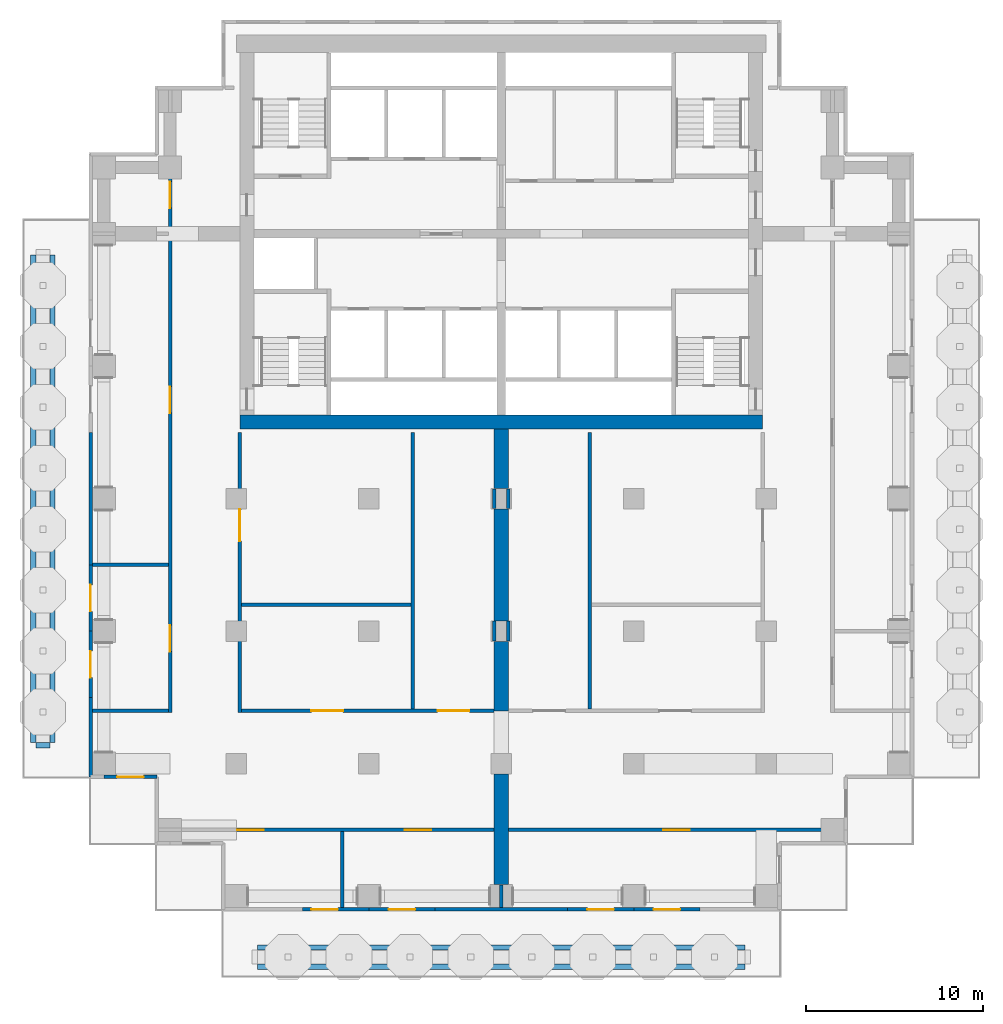
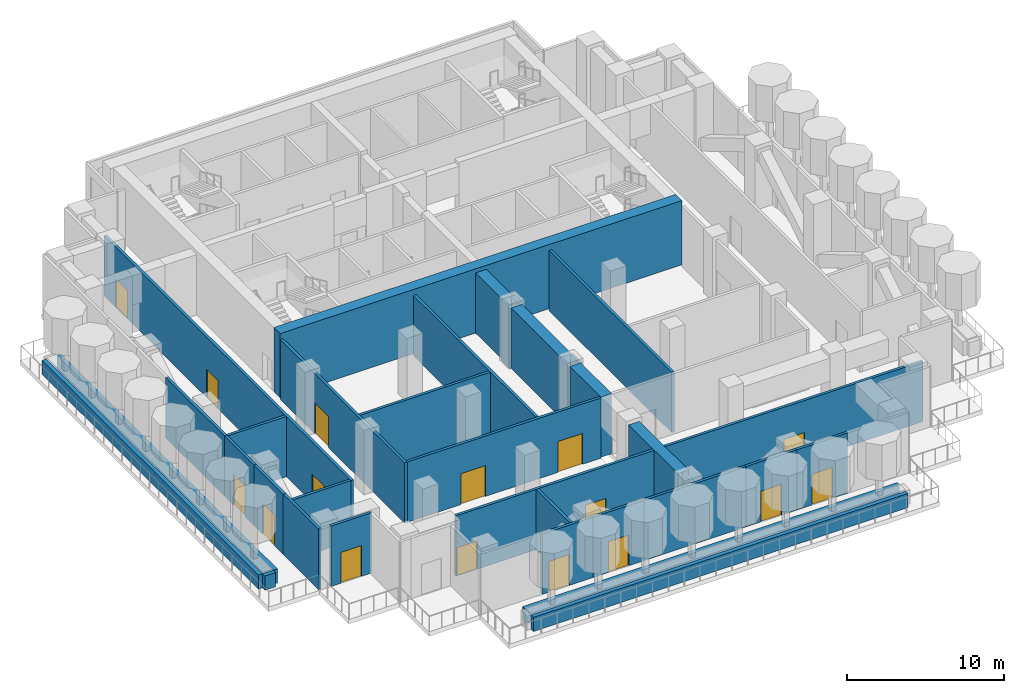
# One storey, part 2 of 9: 36 walls, 16 doors, 16 openings.
"""IFC4 building model written with IfcOpenShell, lengths in metres."""

from ifc_helpers import new_model, si_unit, direction, frame, frame_2d, origin, place, context, subcontext, project, spatial, rectangle, extrude, material, layer, layer_set, type_object, element, fill, save


model = new_model("IFC4")

# Units and contexts
model_context = context("Model", 3, precision=1e-05, world=origin(), true_north=direction((0.0, 1.0)))
body_context = subcontext(model_context, "Body", "Model", "MODEL_VIEW")
ifc_project = project(units=[si_unit("LENGTHUNIT", "METRE"), si_unit("AREAUNIT", "SQUARE_METRE"), si_unit("VOLUMEUNIT", "CUBIC_METRE"), si_unit("PLANEANGLEUNIT", "RADIAN"), si_unit("MASSUNIT", "GRAM", prefix="KILO")], contexts=[model_context])

# Site, building, storey
site_placement = place(None, origin())
site = spatial("IfcSite", under=ifc_project, at=site_placement, CompositionType="ELEMENT")
building_placement = place(site_placement, origin())
building = spatial("IfcBuilding", under=site, at=building_placement, Name="Pilkhan Gate Tower", CompositionType="ELEMENT")
storey_placement = place(building_placement, frame((0.0, 0.0, 102.199951171875)))
storey = spatial("IfcBuildingStorey", under=building, at=storey_placement, Name="L25", CompositionType="ELEMENT", Elevation=102.199951171875)

# Wall
ifc_material_1 = material(Name="Concrete C60/75", Category="concrete")
ifc_layer_1 = layer(ifc_material_1, 0.800048828125)
ifc_layer_set_1 = layer_set([ifc_layer_1], Name="Core wall CW800 C60/75")
wall_type_1 = type_object("IfcWallType", Name="Core wall CW800 C60/75", PredefinedType="SHEAR", material=ifc_layer_set_1)
wall_1_placement = place(storey_placement, frame((60.199951171875, 71.85009765625, 0.0), z_axis=(0.0, 0.0, 1.0), x_axis=(1.0, 0.0, 0.0)))
element("IfcWall", 1, at=wall_1_placement, inside=storey, type_object=wall_type_1, Name="Core wall S L25", PredefinedType="SHEAR", context=body_context, shape_type="SweptSolid", body=[
    extrude(rectangle(XDim=29.60009765625, YDim=0.800048828125, at=frame_2d((14.800048828125, 0.0))), origin(), (0.0, 0.0, 1.0), 5.0),
])

# Wall, openings, doors
ifc_material_2 = material(Name="Dense blockwork", Category="masonry")
ifc_layer_2 = layer(ifc_material_2, 0.199951171875)
ifc_layer_set_2 = layer_set([ifc_layer_2], Name="Lobby wall LW200")
wall_type_2 = type_object("IfcWallType", Name="Lobby wall LW200", PredefinedType="PARTITIONING", material=ifc_layer_set_2)
wall_2_placement = place(storey_placement, frame((60.0009765625, 48.75, 0.0), z_axis=(0.0, 0.0, 1.0), x_axis=(1.0, 0.0, 0.0)))
wall_2 = element("IfcWall", 2, at=wall_2_placement, inside=storey, type_object=wall_type_2, Name="Partition L25", PredefinedType="PARTITIONING", context=body_context, shape_type="SweptSolid", body=[
    extrude(rectangle(XDim=14.589111328125, YDim=0.199951171875, at=frame_2d((7.29443359375, 0.0))), origin(), (0.0, 0.0, 1.0), 4.699951171875),
])
opening_1_placement = place(wall_2_placement, frame((0.05908203125, 0.0, 0.0)))
opening_1 = element("IfcOpeningElement", 3, at=opening_1_placement, cuts=wall_2, Name="Opening L25-06", PredefinedType="OPENING", context=body_context, shape_type="SweptSolid", body=[
    extrude(rectangle(XDim=1.5, YDim=2.199951171875, at=frame_2d((0.75, 1.10009765625))), frame((0.0, 0.10986328125, 0.0), z_axis=(0.0, -1.0, 0.0), x_axis=(1.0, 0.0, 0.0)), (0.0, 0.0, 1.0), 0.219970703125),
])
opening_2_placement = place(wall_2_placement, frame((9.549072265625, 0.0, 0.0)))
opening_2 = element("IfcOpeningElement", 4, at=opening_2_placement, cuts=wall_2, Name="Opening L25-07", PredefinedType="OPENING", context=body_context, shape_type="SweptSolid", body=[
    extrude(rectangle(XDim=1.5, YDim=2.199951171875, at=frame_2d((0.75, 1.10009765625))), frame((0.0, 0.10986328125, 0.0), z_axis=(0.0, -1.0, 0.0), x_axis=(1.0, 0.0, 0.0)), (0.0, 0.0, 1.0), 0.219970703125),
])
ifc_material_3 = material(Name="Steel framed glazed door, 60 minute fire resisting", Category="steel")
door_type_1 = type_object("IfcDoorType", Name="Lobby door D09 1500x2200", OperationType="DOUBLE_DOOR_SINGLE_SWING", PredefinedType="DOOR", material=ifc_material_3)
door_1_placement = place(opening_1_placement, origin())
door_1 = element("IfcDoor", 5, at=door_1_placement, inside=storey, type_object=door_type_1, Name="Refuge door", OperationType="DOUBLE_DOOR_SINGLE_SWING", OverallHeight=2.199951171875, OverallWidth=1.5, PredefinedType="DOOR", context=body_context, shape_type="SweptSolid", body=[
    extrude(rectangle(XDim=1.5, YDim=2.199951171875, at=frame_2d((0.75, 1.10009765625))), frame((0.0, 0.02490234375, 0.0), z_axis=(0.0, -1.0, 0.0), x_axis=(1.0, 0.0, 0.0)), (0.0, 0.0, 1.0), 0.050048828125),
])
fill(opening_1, door_1)
door_2_placement = place(opening_2_placement, origin())
door_2 = element("IfcDoor", 6, at=door_2_placement, inside=storey, type_object=door_type_1, Name="Refuge door", OperationType="DOUBLE_DOOR_SINGLE_SWING", OverallHeight=2.199951171875, OverallWidth=1.5, PredefinedType="DOOR", context=body_context, shape_type="SweptSolid", body=[
    extrude(rectangle(XDim=1.5, YDim=2.199951171875, at=frame_2d((0.75, 1.10009765625))), frame((0.0, 0.02490234375, 0.0), z_axis=(0.0, -1.0, 0.0), x_axis=(1.0, 0.0, 0.0)), (0.0, 0.0, 1.0), 0.050048828125),
])
fill(opening_2, door_2)

# Wall, opening, door
wall_3_placement = place(storey_placement, frame((75.409912109375, 48.75, 0.0), z_axis=(0.0, 0.0, 1.0), x_axis=(1.0, 0.0, 0.0)))
wall_3 = element("IfcWall", 7, at=wall_3_placement, inside=storey, type_object=wall_type_2, Name="Partition L25", PredefinedType="PARTITIONING", context=body_context, shape_type="SweptSolid", body=[
    extrude(rectangle(XDim=18.97998046875, YDim=0.199951171875, at=frame_2d((9.489990234375, 0.0))), origin(), (0.0, 0.0, 1.0), 4.699951171875),
])
opening_3_placement = place(wall_3_placement, frame((8.75, 0.0, 0.0)))
opening_3 = element("IfcOpeningElement", 8, at=opening_3_placement, cuts=wall_3, Name="Opening L25-08", PredefinedType="OPENING", context=body_context, shape_type="SweptSolid", body=[
    extrude(rectangle(XDim=1.5, YDim=2.199951171875, at=frame_2d((0.75, 1.10009765625))), frame((0.0, 0.10986328125, 0.0), z_axis=(0.0, -1.0, 0.0), x_axis=(1.0, 0.0, 0.0)), (0.0, 0.0, 1.0), 0.219970703125),
])
door_3_placement = place(opening_3_placement, origin())
door_3 = element("IfcDoor", 9, at=door_3_placement, inside=storey, type_object=door_type_1, Name="Refuge door", OperationType="DOUBLE_DOOR_SINGLE_SWING", OverallHeight=2.199951171875, OverallWidth=1.5, PredefinedType="DOOR", context=body_context, shape_type="SweptSolid", body=[
    extrude(rectangle(XDim=1.5, YDim=2.199951171875, at=frame_2d((0.75, 1.10009765625))), frame((0.0, 0.02490234375, 0.0), z_axis=(0.0, -1.0, 0.0), x_axis=(1.0, 0.0, 0.0)), (0.0, 0.0, 1.0), 0.050048828125),
])
fill(opening_3, door_3)

# Wall
wall_4_placement = place(storey_placement, frame((51.860107421875, 55.5, 0.0), z_axis=(0.0, 0.0, 1.0), x_axis=(1.0, 0.0, 0.0)))
element("IfcWall", 10, at=wall_4_placement, inside=storey, type_object=wall_type_2, Name="Partition L25", PredefinedType="PARTITIONING", context=body_context, shape_type="SweptSolid", body=[
    extrude(rectangle(XDim=4.289794921875, YDim=0.199951171875, at=frame_2d((2.14501953125, 0.0))), origin(), (0.0, 0.0, 1.0), 4.699951171875),
])

# Wall, openings, doors
wall_5_placement = place(storey_placement, frame((60.300048828125, 55.5, 0.0), z_axis=(0.0, 0.0, 1.0), x_axis=(1.0, 0.0, 0.0)))
wall_5 = element("IfcWall", 11, at=wall_5_placement, inside=storey, type_object=wall_type_2, Name="Partition L25", PredefinedType="PARTITIONING", context=body_context, shape_type="SweptSolid", body=[
    extrude(rectangle(XDim=14.2900390625, YDim=0.199951171875, at=frame_2d((7.14501953125, 0.0))), origin(), (0.0, 0.0, 1.0), 4.699951171875),
])
opening_4_placement = place(wall_5_placement, frame((3.949951171875, 0.0, 0.0)))
opening_4 = element("IfcOpeningElement", 12, at=opening_4_placement, cuts=wall_5, Name="Opening L25-21", PredefinedType="OPENING", context=body_context, shape_type="SweptSolid", body=[
    extrude(rectangle(XDim=1.800048828125, YDim=2.39990234375, at=frame_2d((0.89990234375, 1.199951171875))), frame((0.0, 0.10986328125, 0.0), z_axis=(0.0, -1.0, 0.0), x_axis=(1.0, 0.0, 0.0)), (0.0, 0.0, 1.0), 0.219970703125),
])
opening_5_placement = place(wall_5_placement, frame((11.10009765625, 0.0, 0.0)))
opening_5 = element("IfcOpeningElement", 13, at=opening_5_placement, cuts=wall_5, Name="Opening L25-23", PredefinedType="OPENING", context=body_context, shape_type="SweptSolid", body=[
    extrude(rectangle(XDim=1.800048828125, YDim=2.39990234375, at=frame_2d((0.89990234375, 1.199951171875))), frame((0.0, 0.10986328125, 0.0), z_axis=(0.0, -1.0, 0.0), x_axis=(1.0, 0.0, 0.0)), (0.0, 0.0, 1.0), 0.219970703125),
])
ifc_material_4 = material(Name="Steel door, 120 minute fire resisting", Category="steel")
door_type_2 = type_object("IfcDoorType", Name="Plant room door D08 1800x2400", OperationType="DOUBLE_DOOR_SINGLE_SWING", PredefinedType="DOOR", material=ifc_material_4)
door_4_placement = place(opening_4_placement, origin())
door_4 = element("IfcDoor", 14, at=door_4_placement, inside=storey, type_object=door_type_2, Name="Plant room door", OperationType="DOUBLE_DOOR_SINGLE_SWING", OverallHeight=2.39990234375, OverallWidth=1.800048828125, PredefinedType="DOOR", context=body_context, shape_type="SweptSolid", body=[
    extrude(rectangle(XDim=1.800048828125, YDim=2.39990234375, at=frame_2d((0.89990234375, 1.199951171875))), frame((0.0, 0.02490234375, 0.0), z_axis=(0.0, -1.0, 0.0), x_axis=(1.0, 0.0, 0.0)), (0.0, 0.0, 1.0), 0.050048828125),
])
fill(opening_4, door_4)
door_5_placement = place(opening_5_placement, origin())
door_5 = element("IfcDoor", 15, at=door_5_placement, inside=storey, type_object=door_type_2, Name="Plant room door", OperationType="DOUBLE_DOOR_SINGLE_SWING", OverallHeight=2.39990234375, OverallWidth=1.800048828125, PredefinedType="DOOR", context=body_context, shape_type="SweptSolid", body=[
    extrude(rectangle(XDim=1.800048828125, YDim=2.39990234375, at=frame_2d((0.89990234375, 1.199951171875))), frame((0.0, 0.02490234375, 0.0), z_axis=(0.0, -1.0, 0.0), x_axis=(1.0, 0.0, 0.0)), (0.0, 0.0, 1.0), 0.050048828125),
])
fill(opening_5, door_5)

# Walls
wall_6_placement = place(storey_placement, frame((60.300048828125, 61.5, 0.0), z_axis=(0.0, 0.0, 1.0), x_axis=(1.0, 0.0, 0.0)))
element("IfcWall", 16, at=wall_6_placement, inside=storey, type_object=wall_type_2, Name="Partition L25", PredefinedType="PARTITIONING", context=body_context, shape_type="SweptSolid", body=[
    extrude(rectangle(XDim=9.599853515625, YDim=0.199951171875, at=frame_2d((4.7998046875, 0.0))), origin(), (0.0, 0.0, 1.0), 4.699951171875),
])
wall_7_placement = place(storey_placement, frame((51.860107421875, 63.75, 0.0), z_axis=(0.0, 0.0, 1.0), x_axis=(1.0, 0.0, 0.0)))
element("IfcWall", 17, at=wall_7_placement, inside=storey, type_object=wall_type_2, Name="Partition L25", PredefinedType="PARTITIONING", context=body_context, shape_type="SweptSolid", body=[
    extrude(rectangle(XDim=4.289794921875, YDim=0.199951171875, at=frame_2d((2.14501953125, 0.0))), origin(), (0.0, 0.0, 1.0), 4.699951171875),
])

# Wall, openings, doors
wall_8_placement = place(storey_placement, frame((56.25, 55.39990234375, 0.0), z_axis=(0.0, 0.0, 1.0), x_axis=(0.0, 1.0, 0.0)))
wall_8 = element("IfcWall", 18, at=wall_8_placement, inside=storey, type_object=wall_type_2, Name="Partition L25", PredefinedType="PARTITIONING", context=body_context, shape_type="SweptSolid", body=[
    extrude(rectangle(XDim=31.489990234375, YDim=0.199951171875, at=frame_2d((15.7451171875, 0.0))), origin(), (0.0, 0.0, 1.0), 4.699951171875),
])
opening_6_placement = place(wall_8_placement, frame((3.449951171875, 0.0, 0.0)))
opening_6 = element("IfcOpeningElement", 19, at=opening_6_placement, cuts=wall_8, Name="Opening L25-09", PredefinedType="OPENING", context=body_context, shape_type="SweptSolid", body=[
    extrude(rectangle(XDim=1.5, YDim=2.199951171875, at=frame_2d((0.75, 1.10009765625))), frame((0.0, 0.10986328125, 0.0), z_axis=(0.0, -1.0, 0.0), x_axis=(1.0, 0.0, 0.0)), (0.0, 0.0, 1.0), 0.219970703125),
])
opening_7_placement = place(wall_8_placement, frame((16.949951171875, 0.0, 0.0)))
opening_7 = element("IfcOpeningElement", 20, at=opening_7_placement, cuts=wall_8, Name="Opening L25-10", PredefinedType="OPENING", context=body_context, shape_type="SweptSolid", body=[
    extrude(rectangle(XDim=1.5, YDim=2.199951171875, at=frame_2d((0.75, 1.10009765625))), frame((0.0, 0.10986328125, 0.0), z_axis=(0.0, -1.0, 0.0), x_axis=(1.0, 0.0, 0.0)), (0.0, 0.0, 1.0), 0.219970703125),
])
opening_8_placement = place(wall_8_placement, frame((28.550048828125, 0.0, 0.0)))
opening_8 = element("IfcOpeningElement", 21, at=opening_8_placement, cuts=wall_8, Name="Opening L25-11", PredefinedType="OPENING", context=body_context, shape_type="SweptSolid", body=[
    extrude(rectangle(XDim=1.5, YDim=2.199951171875, at=frame_2d((0.75, 1.10009765625))), frame((0.0, 0.10986328125, 0.0), z_axis=(0.0, -1.0, 0.0), x_axis=(1.0, 0.0, 0.0)), (0.0, 0.0, 1.0), 0.219970703125),
])
door_6_placement = place(opening_6_placement, origin())
door_6 = element("IfcDoor", 22, at=door_6_placement, inside=storey, type_object=door_type_1, Name="Refuge door", OperationType="DOUBLE_DOOR_SINGLE_SWING", OverallHeight=2.199951171875, OverallWidth=1.5, PredefinedType="DOOR", context=body_context, shape_type="SweptSolid", body=[
    extrude(rectangle(XDim=1.5, YDim=2.199951171875, at=frame_2d((0.75, 1.10009765625))), frame((0.0, 0.02490234375, 0.0), z_axis=(0.0, -1.0, 0.0), x_axis=(1.0, 0.0, 0.0)), (0.0, 0.0, 1.0), 0.050048828125),
])
fill(opening_6, door_6)
door_7_placement = place(opening_7_placement, origin())
door_7 = element("IfcDoor", 23, at=door_7_placement, inside=storey, type_object=door_type_1, Name="Refuge door", OperationType="DOUBLE_DOOR_SINGLE_SWING", OverallHeight=2.199951171875, OverallWidth=1.5, PredefinedType="DOOR", context=body_context, shape_type="SweptSolid", body=[
    extrude(rectangle(XDim=1.5, YDim=2.199951171875, at=frame_2d((0.75, 1.10009765625))), frame((0.0, 0.02490234375, 0.0), z_axis=(0.0, -1.0, 0.0), x_axis=(1.0, 0.0, 0.0)), (0.0, 0.0, 1.0), 0.050048828125),
])
fill(opening_7, door_7)
door_8_placement = place(opening_8_placement, origin())
door_8 = element("IfcDoor", 24, at=door_8_placement, inside=storey, type_object=door_type_1, Name="Refuge door", OperationType="DOUBLE_DOOR_SINGLE_SWING", OverallHeight=2.199951171875, OverallWidth=1.5, PredefinedType="DOOR", context=body_context, shape_type="SweptSolid", body=[
    extrude(rectangle(XDim=1.5, YDim=2.199951171875, at=frame_2d((0.75, 1.10009765625))), frame((0.0, 0.02490234375, 0.0), z_axis=(0.0, -1.0, 0.0), x_axis=(1.0, 0.0, 0.0)), (0.0, 0.0, 1.0), 0.050048828125),
])
fill(opening_8, door_8)

# Wall, opening, door
wall_9_placement = place(storey_placement, frame((60.199951171875, 55.39990234375, 0.0), z_axis=(0.0, 0.0, 1.0), x_axis=(0.0, 1.0, 0.0)))
wall_9 = element("IfcWall", 25, at=wall_9_placement, inside=storey, type_object=wall_type_2, Name="Partition L25", PredefinedType="PARTITIONING", context=body_context, shape_type="SweptSolid", body=[
    extrude(rectangle(XDim=15.85009765625, YDim=0.199951171875, at=frame_2d((7.925048828125, 0.0))), origin(), (0.0, 0.0, 1.0), 4.699951171875),
])
opening_9_placement = place(wall_9_placement, frame((9.699951171875, 0.0, 0.0)))
opening_9 = element("IfcOpeningElement", 26, at=opening_9_placement, cuts=wall_9, Name="Opening L25-22", PredefinedType="OPENING", context=body_context, shape_type="SweptSolid", body=[
    extrude(rectangle(XDim=1.800048828125, YDim=2.39990234375, at=frame_2d((0.89990234375, 1.199951171875))), frame((0.0, 0.10986328125, 0.0), z_axis=(0.0, -1.0, 0.0), x_axis=(1.0, 0.0, 0.0)), (0.0, 0.0, 1.0), 0.219970703125),
])
door_9_placement = place(opening_9_placement, origin())
door_9 = element("IfcDoor", 27, at=door_9_placement, inside=storey, type_object=door_type_2, Name="Plant room door", OperationType="DOUBLE_DOOR_SINGLE_SWING", OverallHeight=2.39990234375, OverallWidth=1.800048828125, PredefinedType="DOOR", context=body_context, shape_type="SweptSolid", body=[
    extrude(rectangle(XDim=1.800048828125, YDim=2.39990234375, at=frame_2d((0.89990234375, 1.199951171875))), frame((0.0, 0.02490234375, 0.0), z_axis=(0.0, -1.0, 0.0), x_axis=(1.0, 0.0, 0.0)), (0.0, 0.0, 1.0), 0.050048828125),
])
fill(opening_9, door_9)

# Walls
wall_10_placement = place(storey_placement, frame((66.0, 44.360107421875, 0.0), z_axis=(0.0, 0.0, 1.0), x_axis=(0.0, 1.0, 0.0)))
element("IfcWall", 28, at=wall_10_placement, inside=storey, type_object=wall_type_2, Name="Partition L25", PredefinedType="PARTITIONING", context=body_context, shape_type="SweptSolid", body=[
    extrude(rectangle(XDim=4.289794921875, YDim=0.199951171875, at=frame_2d((2.14501953125, 0.0))), origin(), (0.0, 0.0, 1.0), 4.699951171875),
])
wall_11_placement = place(storey_placement, frame((70.0, 55.60009765625, 0.0), z_axis=(0.0, 0.0, 1.0), x_axis=(0.0, 1.0, 0.0)))
element("IfcWall", 29, at=wall_11_placement, inside=storey, type_object=wall_type_2, Name="Partition L25", PredefinedType="PARTITIONING", context=body_context, shape_type="SweptSolid", body=[
    extrude(rectangle(XDim=15.64990234375, YDim=0.199951171875, at=frame_2d((7.824951171875, 0.0))), origin(), (0.0, 0.0, 1.0), 4.699951171875),
])
for number, where, z_axis, x_axis, name in (
    (30, (74.60009765625, 59.43505859375, 0.0), (0.0, 0.0, 1.0), (0.0, 1.0, 0.0), "Partition L25"),
    (31, (74.60009765625, 66.93505859375, 0.0), (0.0, 0.0, 1.0), (0.0, 1.0, 0.0), "Partition L25"),
):
    element("IfcWall", number, at=place(storey_placement, frame(where, z_axis=z_axis, x_axis=x_axis)), inside=storey, type_object=wall_type_2, Name=name, PredefinedType="PARTITIONING", context=body_context, shape_type="SweptSolid", body=[
        extrude(rectangle(XDim=1.1298828125, YDim=0.199951171875, at=frame_2d((0.56494140625, 0.0))), origin(), (0.0, 0.0, 1.0), 4.699951171875),
    ])
wall_12_placement = place(storey_placement, frame((75.0, 44.360107421875, 0.0), z_axis=(0.0, 0.0, 1.0), x_axis=(0.0, 1.0, 0.0)))
element("IfcWall", 32, at=wall_12_placement, inside=storey, type_object=wall_type_2, Name="Partition L25", PredefinedType="PARTITIONING", context=body_context, shape_type="SweptSolid", body=[
    extrude(rectangle(XDim=1.27978515625, YDim=0.199951171875, at=frame_2d((0.639892578125, 0.0))), origin(), (0.0, 0.0, 1.0), 4.699951171875),
])
for number, where, z_axis, x_axis, name in (
    (33, (75.39990234375, 59.43505859375, 0.0), (0.0, 0.0, 1.0), (0.0, 1.0, 0.0), "Partition L25"),
    (34, (75.39990234375, 66.93505859375, 0.0), (0.0, 0.0, 1.0), (0.0, 1.0, 0.0), "Partition L25"),
):
    element("IfcWall", number, at=place(storey_placement, frame(where, z_axis=z_axis, x_axis=x_axis)), inside=storey, type_object=wall_type_2, Name=name, PredefinedType="PARTITIONING", context=body_context, shape_type="SweptSolid", body=[
        extrude(rectangle(XDim=1.1298828125, YDim=0.199951171875, at=frame_2d((0.56494140625, 0.0))), origin(), (0.0, 0.0, 1.0), 4.699951171875),
    ])
wall_13_placement = place(storey_placement, frame((80.0, 55.60009765625, 0.0), z_axis=(0.0, 0.0, 1.0), x_axis=(0.0, 1.0, 0.0)))
element("IfcWall", 35, at=wall_13_placement, inside=storey, type_object=wall_type_2, Name="Partition L25", PredefinedType="PARTITIONING", context=body_context, shape_type="SweptSolid", body=[
    extrude(rectangle(XDim=15.64990234375, YDim=0.199951171875, at=frame_2d((7.824951171875, 0.0))), origin(), (0.0, 0.0, 1.0), 4.699951171875),
])
ifc_layer_3 = layer(ifc_material_1, 0.800048828125)
ifc_layer_set_3 = layer_set([ifc_layer_3], Name="Outrigger wall OW800 C60/75")
wall_type_3 = type_object("IfcWallType", Name="Outrigger wall OW800 C60/75", PredefinedType="SHEAR", material=ifc_layer_set_3)
wall_14_placement = place(storey_placement, frame((75.0, 45.64990234375, 0.0), z_axis=(0.0, 0.0, 1.0), x_axis=(0.0, 1.0, 0.0)))
element("IfcWall", 36, at=wall_14_placement, inside=storey, type_object=wall_type_3, Name="Outrigger wall 1 L25", PredefinedType="SHEAR", context=body_context, shape_type="SweptSolid", body=[
    extrude(rectangle(XDim=6.275146484375, YDim=0.800048828125, at=frame_2d((3.1376953125, 0.0))), origin(), (0.0, 0.0, 1.0), 4.699951171875),
])
wall_15_placement = place(storey_placement, frame((75.0, 55.47509765625, 0.0), z_axis=(0.0, 0.0, 1.0), x_axis=(0.0, 1.0, 0.0)))
element("IfcWall", 37, at=wall_15_placement, inside=storey, type_object=wall_type_3, Name="Outrigger wall 2 L25", PredefinedType="SHEAR", context=body_context, shape_type="SweptSolid", body=[
    extrude(rectangle(XDim=3.949951171875, YDim=0.800048828125, at=frame_2d((1.97509765625, 0.0))), origin(), (0.0, 0.0, 1.0), 4.699951171875),
])
wall_16_placement = place(storey_placement, frame((75.0, 60.574951171875, 0.0), z_axis=(0.0, 0.0, 1.0), x_axis=(0.0, 1.0, 0.0)))
element("IfcWall", 38, at=wall_16_placement, inside=storey, type_object=wall_type_3, Name="Outrigger wall 3 L25", PredefinedType="SHEAR", context=body_context, shape_type="SweptSolid", body=[
    extrude(rectangle(XDim=6.35009765625, YDim=0.800048828125, at=frame_2d((3.175048828125, 0.0))), origin(), (0.0, 0.0, 1.0), 4.699951171875),
])
wall_17_placement = place(storey_placement, frame((75.0, 68.074951171875, 0.0), z_axis=(0.0, 0.0, 1.0), x_axis=(0.0, 1.0, 0.0)))
element("IfcWall", 39, at=wall_17_placement, inside=storey, type_object=wall_type_3, Name="Outrigger wall 4 L25", PredefinedType="SHEAR", context=body_context, shape_type="SweptSolid", body=[
    extrude(rectangle(XDim=3.375, YDim=0.800048828125, at=frame_2d((1.6875, 0.0))), origin(), (0.0, 0.0, 1.0), 4.699951171875),
])
ifc_material_5 = material(Name="Pale anodised aluminium cladding", Category="aluminium")
ifc_layer_4 = layer(ifc_material_5, 0.199951171875)
ifc_layer_set_4 = layer_set([ifc_layer_4], Name="Plant screen wall PS200")
wall_type_4 = type_object("IfcWallType", Name="Plant screen wall PS200", PredefinedType="SOLIDWALL", material=ifc_layer_set_4)
wall_18_placement = place(storey_placement, frame((51.75, 51.75, 0.0), z_axis=(0.0, 0.0, 1.0), x_axis=(0.0, 1.0, 0.0)))
element("IfcWall", 40, at=wall_18_placement, inside=storey, type_object=wall_type_4, Name="Plant screen wall L25 W", PredefinedType="SOLIDWALL", context=body_context, shape_type="SweptSolid", body=[
    extrude(rectangle(XDim=4.5, YDim=0.199951171875, at=frame_2d((2.25, 0.0))), origin(), (0.0, 0.0, 1.0), 4.699951171875),
])

# Wall, opening, door
wall_19_placement = place(storey_placement, frame((51.75, 56.25, 0.0), z_axis=(0.0, 0.0, 1.0), x_axis=(0.0, 1.0, 0.0)))
wall_19 = element("IfcWall", 41, at=wall_19_placement, inside=storey, type_object=wall_type_4, Name="Infill wall L25 W", PredefinedType="SOLIDWALL", context=body_context, shape_type="SweptSolid", body=[
    extrude(rectangle(XDim=3.75, YDim=0.199951171875, at=frame_2d((1.875, 0.0))), origin(), (0.0, 0.0, 1.0), 4.699951171875),
])
opening_10_placement = place(wall_19_placement, frame((1.125, 0.0, 0.0)))
opening_10 = element("IfcOpeningElement", 42, at=opening_10_placement, cuts=wall_19, Name="Opening D5", PredefinedType="OPENING", context=body_context, shape_type="SweptSolid", body=[
    extrude(rectangle(XDim=1.5, YDim=2.39990234375, at=frame_2d((0.75, 1.199951171875))), frame((0.0, 0.10986328125, 0.0), z_axis=(0.0, -1.0, 0.0), x_axis=(1.0, 0.0, 0.0)), (0.0, 0.0, 1.0), 0.219970703125),
])
ifc_material_6 = material(Name="Pale anodised aluminium, clear glazing", Category="aluminium")
door_type_3 = type_object("IfcDoorType", Name="Terrace door D5 1500x2400", OperationType="DOUBLE_DOOR_SINGLE_SWING", PredefinedType="DOOR", material=ifc_material_6)
door_10_placement = place(opening_10_placement, origin())
door_10 = element("IfcDoor", 43, at=door_10_placement, inside=storey, type_object=door_type_3, Name="Terrace door L25", OperationType="DOUBLE_DOOR_SINGLE_SWING", OverallHeight=2.39990234375, OverallWidth=1.5, PredefinedType="DOOR", context=body_context, shape_type="SweptSolid", body=[
    extrude(rectangle(XDim=1.5, YDim=2.39990234375, at=frame_2d((0.75, 1.199951171875))), frame((0.0, 0.02490234375, 0.0), z_axis=(0.0, -1.0, 0.0), x_axis=(1.0, 0.0, 0.0)), (0.0, 0.0, 1.0), 0.050048828125),
])
fill(opening_10, door_10)

wall_20_placement = place(storey_placement, frame((51.75, 60.0, 0.0), z_axis=(0.0, 0.0, 1.0), x_axis=(0.0, 1.0, 0.0)))
wall_20 = element("IfcWall", 44, at=wall_20_placement, inside=storey, type_object=wall_type_4, Name="Infill wall L25 W", PredefinedType="SOLIDWALL", context=body_context, shape_type="SweptSolid", body=[
    extrude(rectangle(XDim=3.75, YDim=0.199951171875, at=frame_2d((1.875, 0.0))), origin(), (0.0, 0.0, 1.0), 4.699951171875),
])
opening_11_placement = place(wall_20_placement, frame((1.125, 0.0, 0.0)))
opening_11 = element("IfcOpeningElement", 45, at=opening_11_placement, cuts=wall_20, Name="Opening D5", PredefinedType="OPENING", context=body_context, shape_type="SweptSolid", body=[
    extrude(rectangle(XDim=1.5, YDim=2.39990234375, at=frame_2d((0.75, 1.199951171875))), frame((0.0, 0.10986328125, 0.0), z_axis=(0.0, -1.0, 0.0), x_axis=(1.0, 0.0, 0.0)), (0.0, 0.0, 1.0), 0.219970703125),
])
door_11_placement = place(opening_11_placement, origin())
door_11 = element("IfcDoor", 46, at=door_11_placement, inside=storey, type_object=door_type_3, Name="Terrace door L25", OperationType="DOUBLE_DOOR_SINGLE_SWING", OverallHeight=2.39990234375, OverallWidth=1.5, PredefinedType="DOOR", context=body_context, shape_type="SweptSolid", body=[
    extrude(rectangle(XDim=1.5, YDim=2.39990234375, at=frame_2d((0.75, 1.199951171875))), frame((0.0, 0.02490234375, 0.0), z_axis=(0.0, -1.0, 0.0), x_axis=(1.0, 0.0, 0.0)), (0.0, 0.0, 1.0), 0.050048828125),
])
fill(opening_11, door_11)

# Wall
wall_21_placement = place(storey_placement, frame((51.75, 63.75, 0.0), z_axis=(0.0, 0.0, 1.0), x_axis=(0.0, 1.0, 0.0)))
element("IfcWall", 47, at=wall_21_placement, inside=storey, type_object=wall_type_4, Name="Plant screen wall L25 W", PredefinedType="SOLIDWALL", context=body_context, shape_type="SweptSolid", body=[
    extrude(rectangle(XDim=7.5, YDim=0.199951171875, at=frame_2d((3.75, 0.0))), origin(), (0.0, 0.0, 1.0), 4.699951171875),
])

# Wall, opening, door
wall_22_placement = place(storey_placement, frame((55.5, 51.75, 0.0), z_axis=(0.0, 0.0, 1.0), x_axis=(-1.0, 0.0, 0.0)))
wall_22 = element("IfcWall", 48, at=wall_22_placement, inside=storey, type_object=wall_type_4, Name="Infill wall L25 S", PredefinedType="SOLIDWALL", context=body_context, shape_type="SweptSolid", body=[
    extrude(rectangle(XDim=3.0, YDim=0.199951171875, at=frame_2d((1.5, 0.0))), origin(), (0.0, 0.0, 1.0), 4.699951171875),
])
opening_12_placement = place(wall_22_placement, frame((0.75, 0.0, 0.0)))
opening_12 = element("IfcOpeningElement", 49, at=opening_12_placement, cuts=wall_22, Name="Opening D5", PredefinedType="OPENING", context=body_context, shape_type="SweptSolid", body=[
    extrude(rectangle(XDim=1.5, YDim=2.39990234375, at=frame_2d((0.75, 1.199951171875))), frame((0.0, 0.10986328125, 0.0), z_axis=(0.0, -1.0, 0.0), x_axis=(1.0, 0.0, 0.0)), (0.0, 0.0, 1.0), 0.219970703125),
])
door_12_placement = place(opening_12_placement, origin())
door_12 = element("IfcDoor", 50, at=door_12_placement, inside=storey, type_object=door_type_3, Name="Terrace door L25", OperationType="DOUBLE_DOOR_SINGLE_SWING", OverallHeight=2.39990234375, OverallWidth=1.5, PredefinedType="DOOR", context=body_context, shape_type="SweptSolid", body=[
    extrude(rectangle(XDim=1.5, YDim=2.39990234375, at=frame_2d((0.75, 1.199951171875))), frame((0.0, 0.02490234375, 0.0), z_axis=(0.0, -1.0, 0.0), x_axis=(1.0, 0.0, 0.0)), (0.0, 0.0, 1.0), 0.050048828125),
])
fill(opening_12, door_12)

wall_23_placement = place(storey_placement, frame((67.5, 44.25, 0.0), z_axis=(0.0, 0.0, 1.0), x_axis=(-1.0, 0.0, 0.0)))
wall_23 = element("IfcWall", 51, at=wall_23_placement, inside=storey, type_object=wall_type_4, Name="Infill wall L25 S", PredefinedType="SOLIDWALL", context=body_context, shape_type="SweptSolid", body=[
    extrude(rectangle(XDim=3.75, YDim=0.199951171875, at=frame_2d((1.875, 0.0))), origin(), (0.0, 0.0, 1.0), 4.699951171875),
])
opening_13_placement = place(wall_23_placement, frame((1.75, 0.0, 0.0)))
opening_13 = element("IfcOpeningElement", 52, at=opening_13_placement, cuts=wall_23, Name="Opening D5", PredefinedType="OPENING", context=body_context, shape_type="SweptSolid", body=[
    extrude(rectangle(XDim=1.5, YDim=2.39990234375, at=frame_2d((0.75, 1.199951171875))), frame((0.0, 0.10986328125, 0.0), z_axis=(0.0, -1.0, 0.0), x_axis=(1.0, 0.0, 0.0)), (0.0, 0.0, 1.0), 0.219970703125),
])
door_13_placement = place(opening_13_placement, origin())
door_13 = element("IfcDoor", 53, at=door_13_placement, inside=storey, type_object=door_type_3, Name="Terrace door L25", OperationType="DOUBLE_DOOR_SINGLE_SWING", OverallHeight=2.39990234375, OverallWidth=1.5, PredefinedType="DOOR", context=body_context, shape_type="SweptSolid", body=[
    extrude(rectangle(XDim=1.5, YDim=2.39990234375, at=frame_2d((0.75, 1.199951171875))), frame((0.0, 0.02490234375, 0.0), z_axis=(0.0, -1.0, 0.0), x_axis=(1.0, 0.0, 0.0)), (0.0, 0.0, 1.0), 0.050048828125),
])
fill(opening_13, door_13)

wall_24_placement = place(storey_placement, frame((71.25, 44.25, 0.0), z_axis=(0.0, 0.0, 1.0), x_axis=(-1.0, 0.0, 0.0)))
wall_24 = element("IfcWall", 54, at=wall_24_placement, inside=storey, type_object=wall_type_4, Name="Infill wall L25 S", PredefinedType="SOLIDWALL", context=body_context, shape_type="SweptSolid", body=[
    extrude(rectangle(XDim=3.75, YDim=0.199951171875, at=frame_2d((1.875, 0.0))), origin(), (0.0, 0.0, 1.0), 4.699951171875),
])
opening_14_placement = place(wall_24_placement, frame((1.125, 0.0, 0.0)))
opening_14 = element("IfcOpeningElement", 55, at=opening_14_placement, cuts=wall_24, Name="Opening D5", PredefinedType="OPENING", context=body_context, shape_type="SweptSolid", body=[
    extrude(rectangle(XDim=1.5, YDim=2.39990234375, at=frame_2d((0.75, 1.199951171875))), frame((0.0, 0.10986328125, 0.0), z_axis=(0.0, -1.0, 0.0), x_axis=(1.0, 0.0, 0.0)), (0.0, 0.0, 1.0), 0.219970703125),
])
door_14_placement = place(opening_14_placement, origin())
door_14 = element("IfcDoor", 56, at=door_14_placement, inside=storey, type_object=door_type_3, Name="Terrace door L25", OperationType="DOUBLE_DOOR_SINGLE_SWING", OverallHeight=2.39990234375, OverallWidth=1.5, PredefinedType="DOOR", context=body_context, shape_type="SweptSolid", body=[
    extrude(rectangle(XDim=1.5, YDim=2.39990234375, at=frame_2d((0.75, 1.199951171875))), frame((0.0, 0.02490234375, 0.0), z_axis=(0.0, -1.0, 0.0), x_axis=(1.0, 0.0, 0.0)), (0.0, 0.0, 1.0), 0.050048828125),
])
fill(opening_14, door_14)

# Wall
wall_25_placement = place(storey_placement, frame((71.25, 44.25, 0.0), z_axis=(0.0, 0.0, 1.0), x_axis=(1.0, 0.0, 0.0)))
element("IfcWall", 57, at=wall_25_placement, inside=storey, type_object=wall_type_4, Name="Plant screen wall L25 S", PredefinedType="SOLIDWALL", context=body_context, shape_type="SweptSolid", body=[
    extrude(rectangle(XDim=7.5, YDim=0.199951171875, at=frame_2d((3.75, 0.0))), origin(), (0.0, 0.0, 1.0), 4.699951171875),
])

# Wall, opening, door
wall_26_placement = place(storey_placement, frame((82.5, 44.25, 0.0), z_axis=(0.0, 0.0, 1.0), x_axis=(-1.0, 0.0, 0.0)))
wall_26 = element("IfcWall", 58, at=wall_26_placement, inside=storey, type_object=wall_type_4, Name="Infill wall L25 S", PredefinedType="SOLIDWALL", context=body_context, shape_type="SweptSolid", body=[
    extrude(rectangle(XDim=3.75, YDim=0.199951171875, at=frame_2d((1.875, 0.0))), origin(), (0.0, 0.0, 1.0), 4.699951171875),
])
opening_15_placement = place(wall_26_placement, frame((1.125, 0.0, 0.0)))
opening_15 = element("IfcOpeningElement", 59, at=opening_15_placement, cuts=wall_26, Name="Opening D5", PredefinedType="OPENING", context=body_context, shape_type="SweptSolid", body=[
    extrude(rectangle(XDim=1.5, YDim=2.39990234375, at=frame_2d((0.75, 1.199951171875))), frame((0.0, 0.10986328125, 0.0), z_axis=(0.0, -1.0, 0.0), x_axis=(1.0, 0.0, 0.0)), (0.0, 0.0, 1.0), 0.219970703125),
])
door_15_placement = place(opening_15_placement, origin())
door_15 = element("IfcDoor", 60, at=door_15_placement, inside=storey, type_object=door_type_3, Name="Terrace door L25", OperationType="DOUBLE_DOOR_SINGLE_SWING", OverallHeight=2.39990234375, OverallWidth=1.5, PredefinedType="DOOR", context=body_context, shape_type="SweptSolid", body=[
    extrude(rectangle(XDim=1.5, YDim=2.39990234375, at=frame_2d((0.75, 1.199951171875))), frame((0.0, 0.02490234375, 0.0), z_axis=(0.0, -1.0, 0.0), x_axis=(1.0, 0.0, 0.0)), (0.0, 0.0, 1.0), 0.050048828125),
])
fill(opening_15, door_15)

wall_27_placement = place(storey_placement, frame((86.25, 44.25, 0.0), z_axis=(0.0, 0.0, 1.0), x_axis=(-1.0, 0.0, 0.0)))
wall_27 = element("IfcWall", 61, at=wall_27_placement, inside=storey, type_object=wall_type_4, Name="Infill wall L25 S", PredefinedType="SOLIDWALL", context=body_context, shape_type="SweptSolid", body=[
    extrude(rectangle(XDim=3.75, YDim=0.199951171875, at=frame_2d((1.875, 0.0))), origin(), (0.0, 0.0, 1.0), 4.699951171875),
])
opening_16_placement = place(wall_27_placement, frame((1.125, 0.0, 0.0)))
opening_16 = element("IfcOpeningElement", 62, at=opening_16_placement, cuts=wall_27, Name="Opening D5", PredefinedType="OPENING", context=body_context, shape_type="SweptSolid", body=[
    extrude(rectangle(XDim=1.5, YDim=2.39990234375, at=frame_2d((0.75, 1.199951171875))), frame((0.0, 0.10986328125, 0.0), z_axis=(0.0, -1.0, 0.0), x_axis=(1.0, 0.0, 0.0)), (0.0, 0.0, 1.0), 0.219970703125),
])
door_16_placement = place(opening_16_placement, origin())
door_16 = element("IfcDoor", 63, at=door_16_placement, inside=storey, type_object=door_type_3, Name="Terrace door L25", OperationType="DOUBLE_DOOR_SINGLE_SWING", OverallHeight=2.39990234375, OverallWidth=1.5, PredefinedType="DOOR", context=body_context, shape_type="SweptSolid", body=[
    extrude(rectangle(XDim=1.5, YDim=2.39990234375, at=frame_2d((0.75, 1.199951171875))), frame((0.0, 0.02490234375, 0.0), z_axis=(0.0, -1.0, 0.0), x_axis=(1.0, 0.0, 0.0)), (0.0, 0.0, 1.0), 0.050048828125),
])
fill(opening_16, door_16)

# Walls
ifc_material_7 = material(Name="Concrete C40/50", Category="concrete")
ifc_layer_5 = layer(ifc_material_7, 0.300048828125)
ifc_layer_set_5 = layer_set([ifc_layer_5], Name="Terrace planter TP800")
wall_type_5 = type_object("IfcWallType", Name="Terrace planter TP800", PredefinedType="USERDEFINED", material=ifc_layer_set_5)
for number, where, z_axis, x_axis, name in (
    (64, (88.800048828125, 41.0, 0.0), (0.0, 0.0, 1.0), (-1.0, 0.0, 0.0), "Terrace planter L25"),
    (65, (88.800048828125, 42.10009765625, 0.0), (0.0, 0.0, 1.0), (-1.0, 0.0, 0.0), "Terrace planter L25"),
    (66, (48.5, 53.699951171875, 0.0), (0.0, 0.0, 1.0), (0.0, 1.0, 0.0), "Terrace planter L25"),
    (67, (49.60009765625, 53.699951171875, 0.0), (0.0, 0.0, 1.0), (0.0, 1.0, 0.0), "Terrace planter L25"),
):
    element("IfcWall", number, at=place(storey_placement, frame(where, z_axis=z_axis, x_axis=x_axis)), inside=storey, type_object=wall_type_5, Name=name, ObjectType="TERRACE PLANTER", PredefinedType="USERDEFINED", context=body_context, shape_type="SweptSolid", body=[
        extrude(rectangle(XDim=27.60009765625, YDim=0.300048828125, at=frame_2d((13.800048828125, 0.0))), origin(), (0.0, 0.0, 1.0), 1.10009765625),
    ])
wall_28_placement = place(storey_placement, frame((49.449951171875, 53.550048828125, 0.0), z_axis=(0.0, 0.0, 1.0), x_axis=(-1.0, 0.0, 0.0)))
element("IfcWall", 68, at=wall_28_placement, inside=storey, type_object=wall_type_5, Name="Terrace planter L25", ObjectType="TERRACE PLANTER", PredefinedType="USERDEFINED", context=body_context, shape_type="SweptSolid", body=[
    extrude(rectangle(XDim=0.800048828125, YDim=0.300048828125, at=frame_2d((0.39990234375, 0.0))), origin(), (0.0, 0.0, 1.0), 1.10009765625),
])

save(model, "model.ifc")
